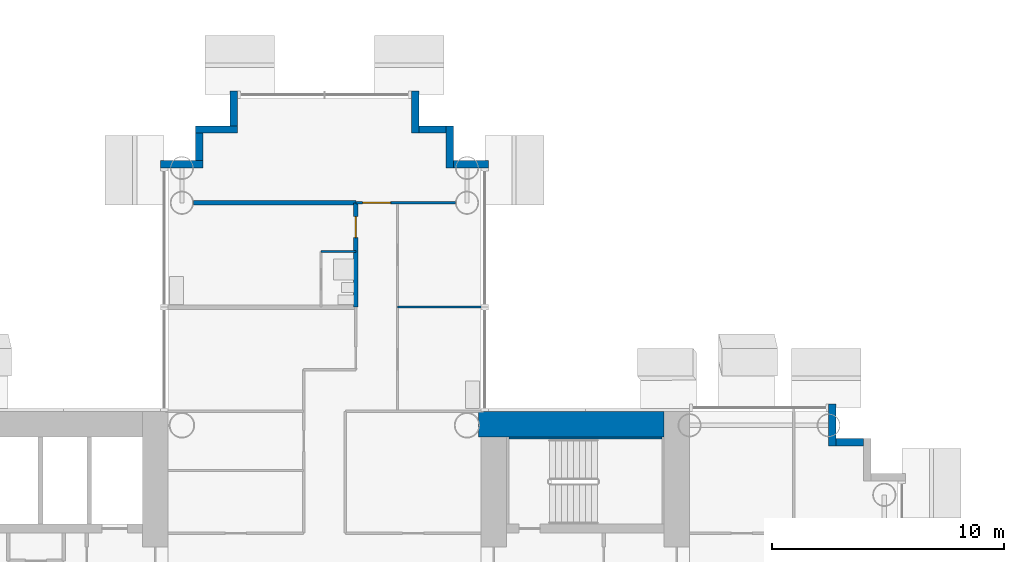
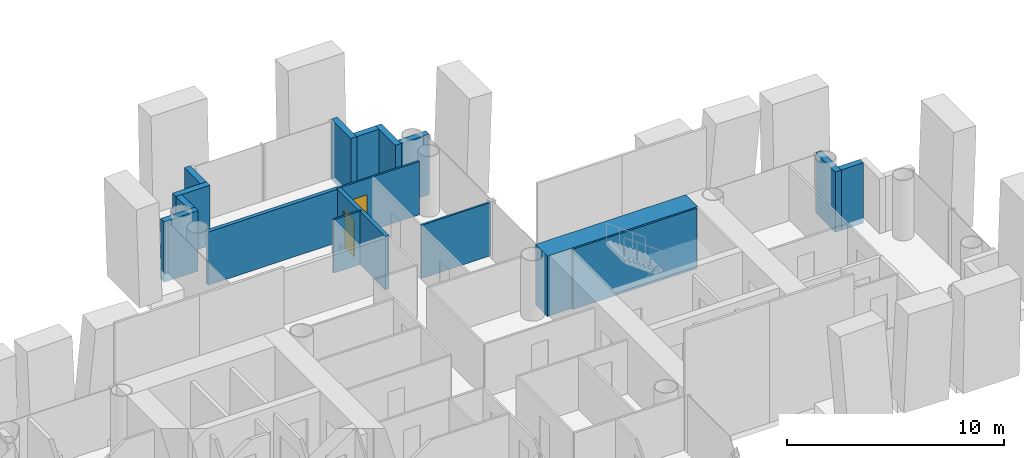
# One storey, part 13 of 25: 17 walls, 2 doors, 2 openings.
"""IFC4 building model written with IfcOpenShell, lengths in metres."""

from ifc_helpers import new_model, si_unit, direction, frame, frame_2d, origin, place, context, subcontext, project, spatial, rectangle, extrude, material, layer, layer_set, type_object, element, fill, save


model = new_model("IFC4")

# Units and contexts
model_context = context("Model", 3, precision=1e-05, world=origin(), true_north=direction((0.0, 1.0)))
body_context = subcontext(model_context, "Body", "Model", "MODEL_VIEW")
ifc_project = project(units=[si_unit("LENGTHUNIT", "METRE"), si_unit("AREAUNIT", "SQUARE_METRE"), si_unit("VOLUMEUNIT", "CUBIC_METRE"), si_unit("PLANEANGLEUNIT", "RADIAN"), si_unit("MASSUNIT", "GRAM", prefix="KILO")], contexts=[model_context])

# Site, building, storey
site_placement = place(None, origin())
site = spatial("IfcSite", under=ifc_project, at=site_placement, CompositionType="ELEMENT")
building_placement = place(site_placement, origin())
building = spatial("IfcBuilding", under=site, at=building_placement, Name="Ipe Terrace Towers", CompositionType="ELEMENT")
storey_placement = place(building_placement, frame((0.0, 0.0, 65.300048828125)))
storey = spatial("IfcBuildingStorey", under=building, at=storey_placement, Name="L17", CompositionType="ELEMENT", Elevation=65.300048828125)

# Walls
ifc_material_1 = material(Name="Concrete C40/50 with buff precast cladding", Category="concrete")
ifc_layer_1 = layer(ifc_material_1, 0.320068359375)
ifc_layer_set_1 = layer_set([ifc_layer_1], Name="BUFF CLADDING WALL 320")
wall_type_1 = type_object("IfcWallType", Name="BUFF CLADDING WALL 320", PredefinedType="STANDARD", material=ifc_layer_set_1)
wall_1_placement = place(storey_placement, frame((-12.75, 5.409912109375, -0.300048828125), z_axis=(0.0, 0.0, 1.0), x_axis=(-1.0, 0.0, 0.0)))
element("IfcWall", 1, at=wall_1_placement, inside=storey, type_object=wall_type_1, Name="T1-W-L17-28a wall", PredefinedType="STANDARD", context=body_context, shape_type="SweptSolid", body=[
    extrude(rectangle(XDim=1.179931640625, YDim=0.320068359375, at=frame_2d((0.58984375, 0.0))), origin(), (0.0, 0.0, 1.0), 3.39990234375),
])
wall_2_placement = place(storey_placement, frame((-14.090087890625, 5.25, -0.300048828125), z_axis=(0.0, 0.0, 1.0), x_axis=(0.0, 1.0, 0.0)))
element("IfcWall", 2, at=wall_2_placement, inside=storey, type_object=wall_type_1, Name="T1-W-L17-29a wall", PredefinedType="STANDARD", context=body_context, shape_type="SweptSolid", body=[
    extrude(rectangle(XDim=1.820068359375, YDim=0.320068359375, at=frame_2d((0.91015625, 0.0))), origin(), (0.0, 0.0, 1.0), 3.39990234375),
])
wall_3_placement = place(storey_placement, frame((-28.929931640625, 17.409912109375, -0.300048828125), z_axis=(0.0, 0.0, 1.0), x_axis=(-1.0, 0.0, 0.0)))
element("IfcWall", 3, at=wall_3_placement, inside=storey, type_object=wall_type_1, Name="T1-W-L17-34a wall", PredefinedType="STANDARD", context=body_context, shape_type="SweptSolid", body=[
    extrude(rectangle(XDim=1.5, YDim=0.320068359375, at=frame_2d((0.75, 0.0))), origin(), (0.0, 0.0, 1.0), 3.39990234375),
])
wall_4_placement = place(storey_placement, frame((-30.590087890625, 17.25, -0.300048828125), z_axis=(0.0, 0.0, 1.0), x_axis=(0.0, 1.0, 0.0)))
element("IfcWall", 4, at=wall_4_placement, inside=storey, type_object=wall_type_1, Name="T1-W-L17-35a wall", PredefinedType="STANDARD", context=body_context, shape_type="SweptSolid", body=[
    extrude(rectangle(XDim=1.820068359375, YDim=0.320068359375, at=frame_2d((0.91015625, 0.0))), origin(), (0.0, 0.0, 1.0), 3.39990234375),
])
wall_5_placement = place(storey_placement, frame((-30.75, 18.909912109375, -0.300048828125), z_axis=(0.0, 0.0, 1.0), x_axis=(-1.0, 0.0, 0.0)))
element("IfcWall", 5, at=wall_5_placement, inside=storey, type_object=wall_type_1, Name="T1-W-L17-36a wall", PredefinedType="STANDARD", context=body_context, shape_type="SweptSolid", body=[
    extrude(rectangle(XDim=1.179931640625, YDim=0.320068359375, at=frame_2d((0.58984375, 0.0))), origin(), (0.0, 0.0, 1.0), 3.39990234375),
])
wall_6_placement = place(storey_placement, frame((-32.090087890625, 18.75, -0.300048828125), z_axis=(0.0, 0.0, 1.0), x_axis=(0.0, 1.0, 0.0)))
element("IfcWall", 6, at=wall_6_placement, inside=storey, type_object=wall_type_1, Name="T1-W-L17-37a wall", PredefinedType="STANDARD", context=body_context, shape_type="SweptSolid", body=[
    extrude(rectangle(XDim=1.820068359375, YDim=0.320068359375, at=frame_2d((0.91015625, 0.0))), origin(), (0.0, 0.0, 1.0), 3.39990234375),
])
wall_7_placement = place(storey_placement, frame((-39.909912109375, 20.570068359375, -0.300048828125), z_axis=(0.0, 0.0, 1.0), x_axis=(0.0, -1.0, 0.0)))
element("IfcWall", 7, at=wall_7_placement, inside=storey, type_object=wall_type_1, Name="T1-W-L17-39a wall", PredefinedType="STANDARD", context=body_context, shape_type="SweptSolid", body=[
    extrude(rectangle(XDim=1.5, YDim=0.320068359375, at=frame_2d((0.75, 0.0))), origin(), (0.0, 0.0, 1.0), 3.39990234375),
])
wall_8_placement = place(storey_placement, frame((-39.75, 18.909912109375, -0.300048828125), z_axis=(0.0, 0.0, 1.0), x_axis=(-1.0, 0.0, 0.0)))
element("IfcWall", 8, at=wall_8_placement, inside=storey, type_object=wall_type_1, Name="T1-W-L17-40a wall", PredefinedType="STANDARD", context=body_context, shape_type="SweptSolid", body=[
    extrude(rectangle(XDim=1.820068359375, YDim=0.320068359375, at=frame_2d((0.91015625, 0.0))), origin(), (0.0, 0.0, 1.0), 3.39990234375),
])
wall_9_placement = place(storey_placement, frame((-41.409912109375, 18.75, -0.300048828125), z_axis=(0.0, 0.0, 1.0), x_axis=(0.0, -1.0, 0.0)))
element("IfcWall", 9, at=wall_9_placement, inside=storey, type_object=wall_type_1, Name="T1-W-L17-41a wall", PredefinedType="STANDARD", context=body_context, shape_type="SweptSolid", body=[
    extrude(rectangle(XDim=1.179931640625, YDim=0.320068359375, at=frame_2d((0.58984375, 0.0))), origin(), (0.0, 0.0, 1.0), 3.39990234375),
])
wall_10_placement = place(storey_placement, frame((-41.25, 17.409912109375, -0.300048828125), z_axis=(0.0, 0.0, 1.0), x_axis=(-1.0, 0.0, 0.0)))
element("IfcWall", 10, at=wall_10_placement, inside=storey, type_object=wall_type_1, Name="T1-W-L17-42a wall", PredefinedType="STANDARD", context=body_context, shape_type="SweptSolid", body=[
    extrude(rectangle(XDim=1.820068359375, YDim=0.320068359375, at=frame_2d((0.91015625, 0.0))), origin(), (0.0, 0.0, 1.0), 3.39990234375),
])
ifc_material_2 = material(Name="Gypsum board partition", Category="plasterboard")
ifc_layer_2 = layer(ifc_material_2, 0.10009765625)
ifc_layer_set_2 = layer_set([ifc_layer_2], Name="Gypsum board partition 100 mm")
wall_type_2 = type_object("IfcWallType", Name="Gypsum board partition 100 mm", PredefinedType="PARTITIONING", material=ifc_layer_set_2)
wall_11_placement = place(storey_placement, frame((-32.85009765625, 11.25, 0.0), z_axis=(0.0, 0.0, 1.0), x_axis=(1.0, 0.0, 0.0)))
element("IfcWall", 11, at=wall_11_placement, inside=storey, type_object=wall_type_2, Name="Gypsum board partition T1 L17 W49", PredefinedType="PARTITIONING", context=body_context, shape_type="SweptSolid", body=[
    extrude(rectangle(XDim=3.7001953125, YDim=0.10009765625, at=frame_2d((1.85009765625, 0.0))), origin(), (0.0, 0.0, 1.0), 3.0),
])
wall_12_placement = place(storey_placement, frame((-36.14990234375, 13.64990234375, 0.0), z_axis=(0.0, 0.0, 1.0), x_axis=(1.0, 0.0, 0.0)))
element("IfcWall", 12, at=wall_12_placement, inside=storey, type_object=wall_type_2, Name="Gypsum board partition T1 L17 W51", PredefinedType="PARTITIONING", context=body_context, shape_type="SweptSolid", body=[
    extrude(rectangle(XDim=1.5, YDim=0.10009765625, at=frame_2d((0.75, 0.0))), origin(), (0.0, 0.0, 1.0), 3.0),
])

# Wall, opening, door
wall_13_placement = place(storey_placement, frame((-34.64990234375, 15.75, 0.0), z_axis=(0.0, 0.0, 1.0), x_axis=(1.0, 0.0, 0.0)))
wall_13 = element("IfcWall", 13, at=wall_13_placement, inside=storey, type_object=wall_type_2, Name="Gypsum board partition T1 L17 W52", PredefinedType="PARTITIONING", context=body_context, shape_type="SweptSolid", body=[
    extrude(rectangle(XDim=4.2998046875, YDim=0.10009765625, at=frame_2d((2.14990234375, 0.0))), origin(), (0.0, 0.0, 1.0), 3.0),
])
opening_1_placement = place(wall_13_placement, frame((0.300048828125, 0.0, 0.0)))
opening_1 = element("IfcOpeningElement", 14, at=opening_1_placement, cuts=wall_13, Name="Opening T1-Z1E-14", PredefinedType="OPENING", context=body_context, shape_type="SweptSolid", body=[
    extrude(rectangle(XDim=1.199951171875, YDim=2.10009765625, at=frame_2d((0.60009765625, 1.050048828125))), frame((0.0, 0.06005859375, 0.0), z_axis=(0.0, -1.0, 0.0), x_axis=(1.0, 0.0, 0.0)), (0.0, 0.0, 1.0), 0.1201171875),
])
ifc_material_3 = material(Name="Timber door leaf", Category="wood")
door_type_1 = type_object("IfcDoorType", Name="Lounge door 1200 x 2100", OperationType="NOTDEFINED", PredefinedType="DOOR", material=ifc_material_3)
door_1_placement = place(opening_1_placement, origin())
door_1 = element("IfcDoor", 15, at=door_1_placement, inside=storey, type_object=door_type_1, Name="Lounge door T1-Z1E-14", OperationType="SINGLE_SWING_RIGHT", OverallHeight=2.10009765625, OverallWidth=1.199951171875, PredefinedType="DOOR", context=body_context, shape_type="SweptSolid", body=[
    extrude(rectangle(XDim=1.199951171875, YDim=2.10009765625, at=frame_2d((0.60009765625, 1.050048828125))), frame((0.0, 0.02490234375, 0.0), z_axis=(0.0, -1.0, 0.0), x_axis=(1.0, 0.0, 0.0)), (0.0, 0.0, 1.0), 0.050048828125),
])
fill(opening_1, door_1)

ifc_material_4 = material(Name="Gypsum board party wall", Category="plasterboard")
ifc_layer_3 = layer(ifc_material_4, 0.199951171875)
ifc_layer_set_3 = layer_set([ifc_layer_3], Name="Gypsum board party wall 200 mm")
wall_type_3 = type_object("IfcWallType", Name="Gypsum board party wall 200 mm", PredefinedType="SOLIDWALL", material=ifc_layer_set_3)
wall_14_placement = place(storey_placement, frame((-34.64990234375, 11.25, 0.0), z_axis=(0.0, 0.0, 1.0), x_axis=(0.0, 1.0, 0.0)))
wall_14 = element("IfcWall", 16, at=wall_14_placement, inside=storey, type_object=wall_type_3, Name="Gypsum board party wall T1 L17 W15", PredefinedType="SOLIDWALL", context=body_context, shape_type="SweptSolid", body=[
    extrude(rectangle(XDim=4.5, YDim=0.199951171875, at=frame_2d((2.25, 0.0))), origin(), (0.0, 0.0, 1.0), 3.0),
])
opening_2_placement = place(wall_14_placement, frame((3.0, 0.0, 0.0)))
opening_2 = element("IfcOpeningElement", 17, at=opening_2_placement, cuts=wall_14, Name="Opening T1-Z1E-10", PredefinedType="OPENING", context=body_context, shape_type="SweptSolid", body=[
    extrude(rectangle(XDim=0.89990234375, YDim=2.10009765625, at=frame_2d((0.449951171875, 1.050048828125))), frame((0.0, 0.10986328125, 0.0), z_axis=(0.0, -1.0, 0.0), x_axis=(1.0, 0.0, 0.0)), (0.0, 0.0, 1.0), 0.219970703125),
])
ifc_material_5 = material(Name="Fire-rated timber door leaf", Category="wood")
door_type_2 = type_object("IfcDoorType", Name="Flat entrance door 900 x 2100 FD30S", OperationType="NOTDEFINED", PredefinedType="DOOR", material=ifc_material_5)
door_2_placement = place(opening_2_placement, origin())
door_2 = element("IfcDoor", 18, at=door_2_placement, inside=storey, type_object=door_type_2, Name="Flat entrance door T1-Z1E-10", OperationType="SINGLE_SWING_LEFT", OverallHeight=2.10009765625, OverallWidth=0.89990234375, PredefinedType="DOOR", context=body_context, shape_type="SweptSolid", body=[
    extrude(rectangle(XDim=0.89990234375, YDim=2.10009765625, at=frame_2d((0.449951171875, 1.050048828125))), frame((0.0, 0.02490234375, 0.0), z_axis=(0.0, -1.0, 0.0), x_axis=(1.0, 0.0, 0.0)), (0.0, 0.0, 1.0), 0.050048828125),
])
fill(opening_2, door_2)

# Walls
wall_15_placement = place(storey_placement, frame((-41.64990234375, 15.75, 0.0), z_axis=(0.0, 0.0, 1.0), x_axis=(1.0, 0.0, 0.0)))
element("IfcWall", 19, at=wall_15_placement, inside=storey, type_object=wall_type_3, Name="Gypsum board party wall T1 L17 W53", PredefinedType="SOLIDWALL", context=body_context, shape_type="SweptSolid", body=[
    extrude(rectangle(XDim=7.0, YDim=0.199951171875, at=frame_2d((3.5, 0.0))), origin(), (0.0, 0.0, 1.0), 3.0),
])
ifc_material_6 = material(Name="Concrete C60/75", Category="concrete")
ifc_layer_4 = layer(ifc_material_6, 0.10009765625)
ifc_layer_set_4 = layer_set([ifc_layer_4], Name="RW100 CORE INFILL WALL 100 C60-75")
wall_type_4 = type_object("IfcWallType", Name="RW100 CORE INFILL WALL 100 C60-75", PredefinedType="SHEAR", material=ifc_layer_set_4)
wall_16_placement = place(storey_placement, frame((-28.050048828125, 5.60009765625, 0.0), z_axis=(0.0, 0.0, 1.0), x_axis=(1.0, 0.0, 0.0)))
element("IfcWall", 20, at=wall_16_placement, inside=storey, type_object=wall_type_4, Name="Core infill wall T1-C1-back", PredefinedType="SHEAR", context=body_context, shape_type="SweptSolid", body=[
    extrude(rectangle(XDim=6.60009765625, YDim=0.10009765625, at=frame_2d((3.300048828125, 0.0))), origin(), (0.0, 0.0, 1.0), 3.39990234375),
])
ifc_material_7 = material(Name="Concrete C60/75", Category="concrete")
ifc_layer_5 = layer(ifc_material_7, 1.10009765625)
ifc_layer_set_5 = layer_set([ifc_layer_5], Name="RW1100 CORE WALL 1100 C60-75")
wall_type_5 = type_object("IfcWallType", Name="RW1100 CORE WALL 1100 C60-75", PredefinedType="SHEAR", material=ifc_layer_set_5)
wall_17_placement = place(storey_placement, frame((-21.35009765625, 6.199951171875, 0.0), z_axis=(0.0, 0.0, 1.0), x_axis=(-1.0, 0.0, 0.0)))
element("IfcWall", 21, at=wall_17_placement, inside=storey, type_object=wall_type_5, Name="Core wall T1-C1-Z1-W03", PredefinedType="SHEAR", context=body_context, shape_type="SweptSolid", body=[
    extrude(rectangle(XDim=7.997802734375, YDim=1.10009765625, at=frame_2d((3.9990234375, 0.0))), origin(), (0.0, 0.0, 1.0), 3.39990234375),
])

save(model, "model.ifc")
